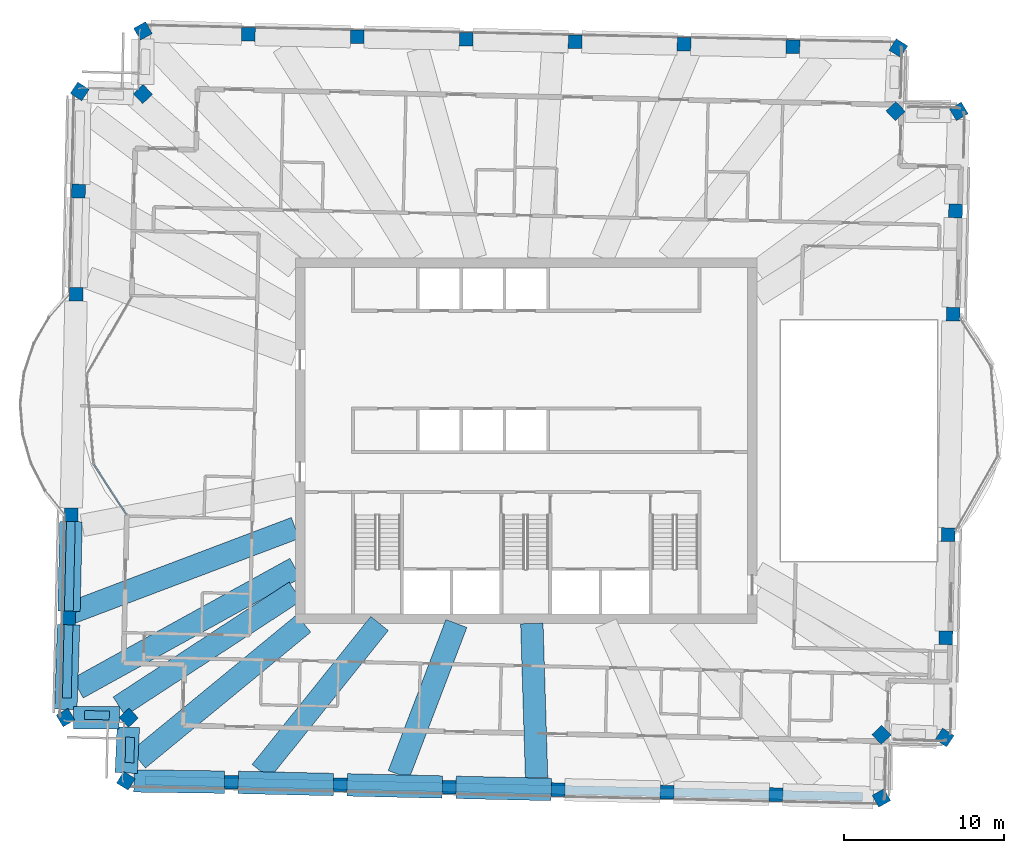
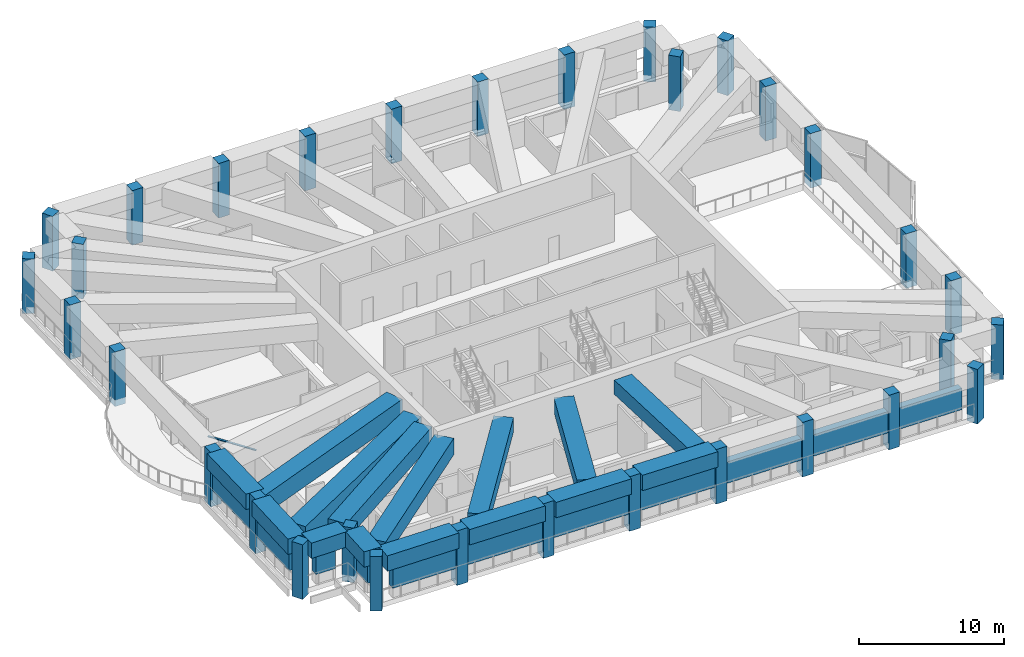
# One storey, part 1 of 17: 32 columns, 15 beams, 5 members, 1 element without a shape of its own.
"""IFC4 building model written with IfcOpenShell, lengths in metres."""

from ifc_helpers import new_model, si_unit, direction, frame, origin, origin_2d, place, context, subcontext, project, spatial, rectangle, extrude, material, material_profile, profile_set, type_object, element, aggregate, save


model = new_model("IFC4")

# Units and contexts
model_context = context("Model", 3, precision=1e-05, world=origin(), true_north=direction((0.0, 1.0)))
body_context = subcontext(model_context, "Body", "Model", "MODEL_VIEW")
ifc_project = project(units=[si_unit("LENGTHUNIT", "METRE"), si_unit("AREAUNIT", "SQUARE_METRE"), si_unit("VOLUMEUNIT", "CUBIC_METRE"), si_unit("PLANEANGLEUNIT", "RADIAN"), si_unit("MASSUNIT", "GRAM", prefix="KILO")], contexts=[model_context])

# Site, building, storey
site_placement = place(None, origin())
site = spatial("IfcSite", under=ifc_project, at=site_placement, CompositionType="ELEMENT")
building_placement = place(site_placement, origin())
building = spatial("IfcBuilding", under=site, at=building_placement, Name="Mangrove Gate Tower", CompositionType="ELEMENT")
storey_placement = place(building_placement, frame((0.0, 0.0, 337.89990234375)))
storey = spatial("IfcBuildingStorey", under=building, at=storey_placement, Name="L86", CompositionType="ELEMENT", Elevation=337.89990234375)

# Columns
ifc_material_1 = material(Name="Concrete C50/60", Category="concrete")
ifc_material_profile_1 = material_profile(ifc_material_1, rectangle(XDim=0.85009765625, YDim=0.85009765625, at=origin_2d()))
ifc_profile_set_1 = profile_set([ifc_material_profile_1], Name="Concrete C50/60")
column_type = type_object("IfcColumnType", Name="Column RC 850x850 C50/60", PredefinedType="COLUMN", material=ifc_profile_set_1)
for number, where, z_axis, x_axis, name in (
    (1, (-28.3740234375, -4.61962890625, -0.5498046875), (0.0, 0.0, 1.0), (-0.022686530928, -0.999742627537, 0.0), "Column L86 W05"),
    (2, (-28.52001953125, -11.0556640625, -0.5498046875), (0.0, 0.0, 1.0), (-0.02268082517, -0.999742756998, 0.0), "Column L86 W06"),
    (3, (-28.72509765625, -17.264892578125, -0.5498046875), (0.0, 0.0, 1.0), (0.508409194984, -0.861115608066, 0.0), "Column L86 W07"),
    (4, (-24.78466796875, -17.2783203125, -0.5498046875), (0.0, 0.0, 1.0), (0.690837236726, -0.723010312757, 0.0), "Column L86 W08"),
    (5, (-24.958984375, -21.209716796875, -0.5498046875), (0.0, 0.0, 1.0), (0.849959503185, -0.526848026423, 0.0), "Column L86 S01"),
    (6, (-18.38232421875, -21.300048828125, -0.5498046875), (0.0, 0.0, 1.0), (0.999742974276, -0.022671245776, 0.0), "Column L86 S02"),
    (7, (-11.59130859375, -21.4541015625, -0.5498046875), (0.0, 0.0, 1.0), (0.999742974276, -0.022671245776, 0.0), "Column L86 S03"),
    (8, (-4.80029296875, -21.608154296875, -0.5498046875), (0.0, 0.0, 1.0), (0.999743012261, -0.022669570691, 0.0), "Column L86 S04"),
    (9, (1.99169921875, -21.76220703125, -0.5498046875), (0.0, 0.0, 1.0), (0.999741341458, -0.0227431348, 0.0), "Column L86 S05"),
    (10, (8.78271484375, -21.9169921875, -0.5498046875), (0.0, 0.0, 1.0), (0.99974130335, -0.022744809883, 0.0), "Column L86 S06"),
    (11, (15.57373046875, -22.071044921875, -0.5498046875), (0.0, 0.0, 1.0), (0.999742974276, -0.022671245776, 0.0), "Column L86 S07"),
    (12, (22.147705078125, -22.279052734375, -0.5498046875), (0.0, 0.0, 1.0), (0.872987965014, 0.487741748204, 0.0), "Column L86 E01"),
    (13, (22.15234375, -18.34375, -0.5498046875), (0.0, 0.0, 1.0), (0.723010312757, 0.690837236726, 0.0), "Column L86 E02"),
    (14, (26.089111328125, -18.509521484375, -0.5498046875), (0.0, 0.0, 1.0), (0.546911589333, 0.837190368705, 0.0), "Column L86 E03"),
    (15, (26.166015625, -12.29638671875, -0.5498046875), (0.0, 0.0, 1.0), (0.022679062841, 0.999742796978, 0.0), "Column L86 E04"),
    (16, (26.31201171875, -5.8603515625, -0.5498046875), (0.0, 0.0, 1.0), (0.022686530928, 0.999742627537, 0.0), "Column L86 E05"),
    (17, (26.6240234375, 7.88671875, -0.5498046875), (0.0, 0.0, 1.0), (0.022686530928, 0.999742627537, 0.0), "Column L86 E06"),
    (18, (26.77001953125, 14.32275390625, -0.5498046875), (0.0, 0.0, 1.0), (0.02268082517, 0.999742756998, 0.0), "Column L86 E07"),
    (19, (26.97509765625, 20.531982421875, -0.5498046875), (0.0, 0.0, 1.0), (-0.508409194984, 0.861115608066, 0.0), "Column L86 E08"),
    (20, (23.03466796875, 20.54541015625, -0.5498046875), (0.0, 0.0, 1.0), (-0.690837236726, 0.723010312757, 0.0), "Column L86 E09"),
    (21, (23.209228515625, 24.476806640625, -0.5498046875), (0.0, 0.0, 1.0), (-0.849994709833, 0.526791223594, 0.0), "Column L86 E10"),
    (22, (16.63134765625, 24.567138671875, -0.5498046875), (0.0, 0.0, 1.0), (-0.999743012261, 0.022669570691, 0.0), "Column L86 N01"),
    (23, (9.84033203125, 24.72119140625, -0.5498046875), (0.0, 0.0, 1.0), (-0.999742974276, 0.022671245776, 0.0), "Column L86 N02"),
    (24, (3.04931640625, 24.875, -0.5498046875), (0.0, 0.0, 1.0), (-0.999742974276, 0.022671245776, 0.0), "Column L86 N03"),
    (25, (-3.74169921875, 25.029052734375, -0.5498046875), (0.0, 0.0, 1.0), (-0.99974130335, 0.022744809883, 0.0), "Column L86 N04"),
    (26, (-10.53271484375, 25.18408203125, -0.5498046875), (0.0, 0.0, 1.0), (-0.99974130335, 0.022744809883, 0.0), "Column L86 N05"),
    (27, (-17.32373046875, 25.338134765625, -0.5498046875), (0.0, 0.0, 1.0), (-0.999742974276, 0.022671245776, 0.0), "Column L86 N06"),
    (28, (-23.897705078125, 25.5458984375, -0.5498046875), (0.0, 0.0, 1.0), (-0.872987965014, -0.487741748204, 0.0), "Column L86 N07"),
    (29, (-23.90234375, 21.61083984375, -0.5498046875), (0.0, 0.0, 1.0), (-0.723010312757, -0.690837236726, 0.0), "Column L86 W01"),
    (30, (-27.839111328125, 21.776611328125, -0.5498046875), (0.0, 0.0, 1.0), (-0.546911589333, -0.837190368705, 0.0), "Column L86 W02"),
    (31, (-27.916015625, 15.5634765625, -0.5498046875), (0.0, 0.0, 1.0), (-0.022679062841, -0.999742796978, 0.0), "Column L86 W03"),
    (32, (-28.06201171875, 9.12744140625, -0.5498046875), (0.0, 0.0, 1.0), (-0.022686530928, -0.999742627537, 0.0), "Column L86 W04"),
):
    element("IfcColumn", number, at=place(storey_placement, frame(where, z_axis=z_axis, x_axis=x_axis)), inside=storey, type_object=column_type, Name=name, PredefinedType="COLUMN", context=body_context, shape_type="SweptSolid", body=[
        extrude(rectangle(XDim=0.85009765625, YDim=0.85009765625, at=origin_2d()), origin(), (0.0, 0.0, 1.0), 4.599853515625),
    ])

# Curtain wall, member
ifc_material_2 = material(Name="Aluminium and glass curtain wall", Category="aluminium")
curtain_wall_type = type_object("IfcCurtainWallType", Name="Crown garden glazing wall", PredefinedType="NOTDEFINED", material=ifc_material_2)
curtain_wall_placement = place(storey_placement, origin())
curtain_wall = element("IfcCurtainWall", 33, at=curtain_wall_placement, inside=storey, type_object=curtain_wall_type, Name="Crown garden glazing W9f3", PredefinedType="NOTDEFINED")
ifc_material_3 = material(Name="Aluminium alloy 6063-T6", Category="aluminium")
ifc_material_profile_2 = material_profile(ifc_material_3, rectangle(XDim=0.06005859375, YDim=0.110107421875, at=origin_2d()))
ifc_profile_set_2 = profile_set([ifc_material_profile_2], Name="Aluminium alloy 6063-T6")
member_type_1 = type_object("IfcMemberType", Name="Crown garden glazing transom 60x110", PredefinedType="USERDEFINED", material=ifc_profile_set_2)
member_1_placement = place(storey_placement, frame((-26.950439453125, -1.49755859375, 2.6201171875), z_axis=(0.546211360714, -0.837647389674, 0.0), x_axis=(0.0, 0.0, 1.0)))
member_1 = element("IfcMember", 34, at=member_1_placement, type_object=member_type_1, Name="CWC transom 1.2", ObjectType="TRANSOM", PredefinedType="USERDEFINED", context=body_context, shape_type="SweptSolid", body=[
    extrude(rectangle(XDim=0.06005859375, YDim=0.110107421875, at=origin_2d()), origin(), (0.0, 0.0, 1.0), 3.696044921875),
])
aggregate(curtain_wall, [member_1])

# Members
ifc_material_4 = material(Name="Planting on aluminium trellis", Category="aluminium")
ifc_material_profile_3 = material_profile(ifc_material_4, rectangle(XDim=0.550048828125, YDim=1.800048828125, at=origin_2d()))
ifc_profile_set_3 = profile_set([ifc_material_profile_3], Name="Planting on aluminium trellis")
member_type_2 = type_object("IfcMemberType", Name="Roof greenery screen 550x1800", PredefinedType="USERDEFINED", material=ifc_profile_set_3)
member_2_placement = place(storey_placement, frame((20.965087890625, -22.2041015625, 1.7001953125), z_axis=(-0.999741686248, 0.022727973462, 0.0), x_axis=(-0.022727973462, -0.999741686248, 0.0)))
element("IfcMember", 35, at=member_2_placement, inside=storey, type_object=member_type_2, Name="GREEN SCREEN L86 T3.6.6", ObjectType="PLANTING", PredefinedType="USERDEFINED", context=body_context, shape_type="SweptSolid", body=[
    extrude(rectangle(XDim=0.550048828125, YDim=1.800048828125, at=origin_2d()), origin(), (0.0, 0.0, 1.0), 44.75048828125),
])
member_3_placement = place(storey_placement, frame((-24.73388671875, -20.0810546875, 1.7001953125), z_axis=(0.022606127362, 0.99974444885, 0.0), x_axis=(-0.99974444885, 0.022606127362, 0.0)))
element("IfcMember", 36, at=member_3_placement, inside=storey, type_object=member_type_2, Name="GREEN SCREEN L86 T3.7.6", ObjectType="PLANTING", PredefinedType="USERDEFINED", context=body_context, shape_type="SweptSolid", body=[
    extrude(rectangle(XDim=0.550048828125, YDim=1.800048828125, at=origin_2d()), origin(), (0.0, 0.0, 1.0), 1.587646484375),
])
member_4_placement = place(storey_placement, frame((-25.9951171875, -17.136962890625, 1.7001953125), z_axis=(-0.999742081457, 0.022710582629, 0.0), x_axis=(-0.022710582629, -0.999742081457, 0.0)))
element("IfcMember", 37, at=member_4_placement, inside=storey, type_object=member_type_2, Name="GREEN SCREEN L86 T3.7.9", ObjectType="PLANTING", PredefinedType="USERDEFINED", context=body_context, shape_type="SweptSolid", body=[
    extrude(rectangle(XDim=0.550048828125, YDim=1.800048828125, at=origin_2d()), origin(), (0.0, 0.0, 1.0), 1.537353515625),
])
member_5_placement = place(storey_placement, frame((-28.64306640625, -16.041015625, 1.7001953125), z_axis=(0.022688316911, 0.999742587007, 0.0), x_axis=(-0.999742587007, 0.022688316911, 0.0)))
element("IfcMember", 38, at=member_5_placement, inside=storey, type_object=member_type_2, Name="GREEN SCREEN L86 T3.8.6", ObjectType="PLANTING", PredefinedType="USERDEFINED", context=body_context, shape_type="SweptSolid", body=[
    extrude(rectangle(XDim=0.550048828125, YDim=1.800048828125, at=origin_2d()), origin(), (0.0, 0.0, 1.0), 11.06201171875),
])

# Beams
ifc_material_5 = material(Name="Concrete C50/60", Category="concrete")
ifc_material_profile_4 = material_profile(ifc_material_5, rectangle(XDim=1.39990234375, YDim=1.199951171875, at=origin_2d()))
ifc_profile_set_4 = profile_set([ifc_material_profile_4], Name="Concrete C50/60")
beam_type_1 = type_object("IfcBeamType", Name="Transfer girder RC 1400x1200 C50/60", PredefinedType="BEAM", material=ifc_profile_set_4)
beam_1_placement = place(storey_placement, frame((-9.14501953125, -11.39990234375, 3.4501953125), z_axis=(-0.625736514668, -0.780034495526, 0.0), x_axis=(0.780034495526, -0.625736514668, 0.0)))
element("IfcBeam", 39, at=beam_1_placement, inside=storey, type_object=beam_type_1, Name="Transfer girder L86 05", PredefinedType="BEAM", context=body_context, shape_type="SweptSolid", body=[
    extrude(rectangle(XDim=1.39990234375, YDim=1.199951171875, at=origin_2d()), origin(), (0.0, 0.0, 1.0), 11.8291015625),
])
beam_2_placement = place(storey_placement, frame((-4.352294921875, -11.39990234375, 3.4501953125), z_axis=(-0.356675824764, -0.934228214104, 0.0), x_axis=(0.934228214104, -0.356675824764, 0.0)))
element("IfcBeam", 40, at=beam_2_placement, inside=storey, type_object=beam_type_1, Name="Transfer girder L86 06", PredefinedType="BEAM", context=body_context, shape_type="SweptSolid", body=[
    extrude(rectangle(XDim=1.39990234375, YDim=1.199951171875, at=origin_2d()), origin(), (0.0, 0.0, 1.0), 10.083984375),
])
beam_3_placement = place(storey_placement, frame((0.3515625, -11.39990234375, 3.4501953125), z_axis=(0.030793304132, -0.999525773765, 0.0), x_axis=(0.999525773765, 0.030793304132, 0.0)))
element("IfcBeam", 41, at=beam_3_placement, inside=storey, type_object=beam_type_1, Name="Transfer girder L86 07", PredefinedType="BEAM", context=body_context, shape_type="SweptSolid", body=[
    extrude(rectangle(XDim=1.39990234375, YDim=1.199951171875, at=origin_2d()), origin(), (0.0, 0.0, 1.0), 9.6171875),
])
ifc_material_6 = material(Name="Concrete C50/60", Category="concrete")
ifc_material_profile_5 = material_profile(ifc_material_6, rectangle(XDim=1.39990234375, YDim=1.300048828125, at=origin_2d()))
ifc_profile_set_5 = profile_set([ifc_material_profile_5], Name="Concrete C50/60")
beam_type_2 = type_object("IfcBeamType", Name="Transfer girder RC 1400x1300 C50/60", PredefinedType="BEAM", material=ifc_profile_set_5)
beam_4_placement = place(storey_placement, frame((-28.3837890625, -5.04443359375, 3.400146484375), z_axis=(-0.022675751709, -0.999742872085, 0.0), x_axis=(0.999742872085, -0.022675751709, 0.0)))
element("IfcBeam", 42, at=beam_4_placement, inside=storey, type_object=beam_type_2, Name="Transfer ring girder L86 00", PredefinedType="BEAM", context=body_context, shape_type="SweptSolid", body=[
    extrude(rectangle(XDim=1.39990234375, YDim=1.300048828125, at=origin_2d()), origin(), (0.0, 0.0, 1.0), 5.587890625),
])
beam_5_placement = place(storey_placement, frame((-28.5341796875, -11.48046875, 3.400146484375), z_axis=(-0.032990215512, -0.999455674695, 0.0), x_axis=(0.999455674695, -0.032990215512, 0.0)))
element("IfcBeam", 43, at=beam_5_placement, inside=storey, type_object=beam_type_2, Name="Transfer ring girder L86 01", PredefinedType="BEAM", context=body_context, shape_type="SweptSolid", body=[
    extrude(rectangle(XDim=1.39990234375, YDim=1.300048828125, at=origin_2d()), origin(), (0.0, 0.0, 1.0), 5.283935546875),
])
beam_6_placement = place(storey_placement, frame((-28.23046875, -17.2666015625, 3.400146484375), z_axis=(0.999994153944, -0.00341936794, 0.0), x_axis=(0.00341936794, 0.999994153944, 0.0)))
element("IfcBeam", 44, at=beam_6_placement, inside=storey, type_object=beam_type_2, Name="Transfer ring girder L86 02", PredefinedType="BEAM", context=body_context, shape_type="SweptSolid", body=[
    extrude(rectangle(XDim=1.39990234375, YDim=1.300048828125, at=origin_2d()), origin(), (0.0, 0.0, 1.0), 2.85595703125),
])
beam_7_placement = place(storey_placement, frame((-24.810791015625, -17.8662109375, 3.400146484375), z_axis=(-0.044307836556, -0.999017925575, 0.0), x_axis=(0.999017925575, -0.044307836556, 0.0)))
element("IfcBeam", 45, at=beam_7_placement, inside=storey, type_object=beam_type_2, Name="Transfer ring girder L86 03", PredefinedType="BEAM", context=body_context, shape_type="SweptSolid", body=[
    extrude(rectangle(XDim=1.39990234375, YDim=1.300048828125, at=origin_2d()), origin(), (0.0, 0.0, 1.0), 2.85986328125),
])
beam_8_placement = place(storey_placement, frame((-24.46337890625, -21.216552734375, 3.400146484375), z_axis=(0.999905805991, -0.013725128256, 0.0), x_axis=(0.013725128256, 0.999905805991, 0.0)))
element("IfcBeam", 46, at=beam_8_placement, inside=storey, type_object=beam_type_2, Name="Transfer ring girder L86 04", PredefinedType="BEAM", context=body_context, shape_type="SweptSolid", body=[
    extrude(rectangle(XDim=1.39990234375, YDim=1.300048828125, at=origin_2d()), origin(), (0.0, 0.0, 1.0), 5.656494140625),
])
for number, where, z_axis, x_axis, name in (
    (47, (-17.95751953125, -21.309814453125, 3.400146484375), (0.999742831422, -0.022677544399, 0.0), (0.022677544399, 0.999742831422, 0.0), "Transfer ring girder L86 05"),
    (48, (-11.16650390625, -21.463623046875, 3.400146484375), (0.999742831422, -0.022677544399, 0.0), (0.022677544399, 0.999742831422, 0.0), "Transfer ring girder L86 06"),
):
    element("IfcBeam", number, at=place(storey_placement, frame(where, z_axis=z_axis, x_axis=x_axis)), inside=storey, type_object=beam_type_2, Name=name, PredefinedType="BEAM", context=body_context, shape_type="SweptSolid", body=[
        extrude(rectangle(XDim=1.39990234375, YDim=1.300048828125, at=origin_2d()), origin(), (0.0, 0.0, 1.0), 5.942626953125),
    ])
beam_9_placement = place(storey_placement, frame((-4.37548828125, -21.61767578125, 3.400146484375), z_axis=(0.999742937027, -0.022672888301, 0.0), x_axis=(0.022672888301, 0.999742937027, 0.0)))
element("IfcBeam", 49, at=beam_9_placement, inside=storey, type_object=beam_type_2, Name="Transfer ring girder L86 07", PredefinedType="BEAM", context=body_context, shape_type="SweptSolid", body=[
    extrude(rectangle(XDim=1.39990234375, YDim=1.300048828125, at=origin_2d()), origin(), (0.0, 0.0, 1.0), 5.94384765625),
])
ifc_material_7 = material(Name="Concrete C50/60", Category="concrete")
ifc_material_profile_6 = material_profile(ifc_material_7, rectangle(XDim=1.39990234375, YDim=1.39990234375, at=origin_2d()))
ifc_profile_set_6 = profile_set([ifc_material_profile_6], Name="Concrete C50/60")
beam_type_3 = type_object("IfcBeamType", Name="Transfer girder RC 1400x1400 C50/60", PredefinedType="BEAM", material=ifc_profile_set_6)
beam_10_placement = place(storey_placement, frame((-14.39990234375, -9.4033203125, 3.35009765625), z_axis=(-0.837300075103, -0.546743618373, 0.0), x_axis=(0.546743618373, -0.837300075103, 0.0)))
element("IfcBeam", 50, at=beam_10_placement, inside=storey, type_object=beam_type_3, Name="Transfer girder L86 03", PredefinedType="BEAM", context=body_context, shape_type="SweptSolid", body=[
    extrude(rectangle(XDim=1.39990234375, YDim=1.39990234375, at=origin_2d()), origin(), (0.0, 0.0, 1.0), 13.113037109375),
])
beam_11_placement = place(storey_placement, frame((-13.872802734375, -11.39990234375, 3.35009765625), z_axis=(-0.772601923796, -0.634890752293, 0.0), x_axis=(0.634890752293, -0.772601923796, 0.0)))
element("IfcBeam", 51, at=beam_11_placement, inside=storey, type_object=beam_type_3, Name="Transfer girder L86 04", PredefinedType="BEAM", context=body_context, shape_type="SweptSolid", body=[
    extrude(rectangle(XDim=1.39990234375, YDim=1.39990234375, at=origin_2d()), origin(), (0.0, 0.0, 1.0), 13.34765625),
])
ifc_material_8 = material(Name="Concrete C50/60", Category="concrete")
ifc_material_profile_7 = material_profile(ifc_material_8, rectangle(XDim=1.39990234375, YDim=1.60009765625, at=origin_2d()))
ifc_profile_set_7 = profile_set([ifc_material_profile_7], Name="Concrete C50/60")
beam_type_4 = type_object("IfcBeamType", Name="Transfer girder RC 1400x1600 C50/60", PredefinedType="BEAM", material=ifc_profile_set_7)
beam_12_placement = place(storey_placement, frame((-14.39990234375, -5.447509765625, 3.25), z_axis=(-0.935315345208, -0.353815213097, 0.0), x_axis=(0.353815213097, -0.935315345208, 0.0)))
element("IfcBeam", 52, at=beam_12_placement, inside=storey, type_object=beam_type_4, Name="Transfer girder L86 01", PredefinedType="BEAM", context=body_context, shape_type="SweptSolid", body=[
    extrude(rectangle(XDim=1.39990234375, YDim=1.60009765625, at=origin_2d()), origin(), (0.0, 0.0, 1.0), 15.090087890625),
])
beam_13_placement = place(storey_placement, frame((-14.39990234375, -7.949462890625, 3.25), z_axis=(-0.875459720086, -0.483291090862, 0.0), x_axis=(0.483291090862, -0.875459720086, 0.0)))
element("IfcBeam", 53, at=beam_13_placement, inside=storey, type_object=beam_type_4, Name="Transfer girder L86 02", PredefinedType="BEAM", context=body_context, shape_type="SweptSolid", body=[
    extrude(rectangle(XDim=1.39990234375, YDim=1.60009765625, at=origin_2d()), origin(), (0.0, 0.0, 1.0), 15.48876953125),
])

save(model, "model.ifc")
